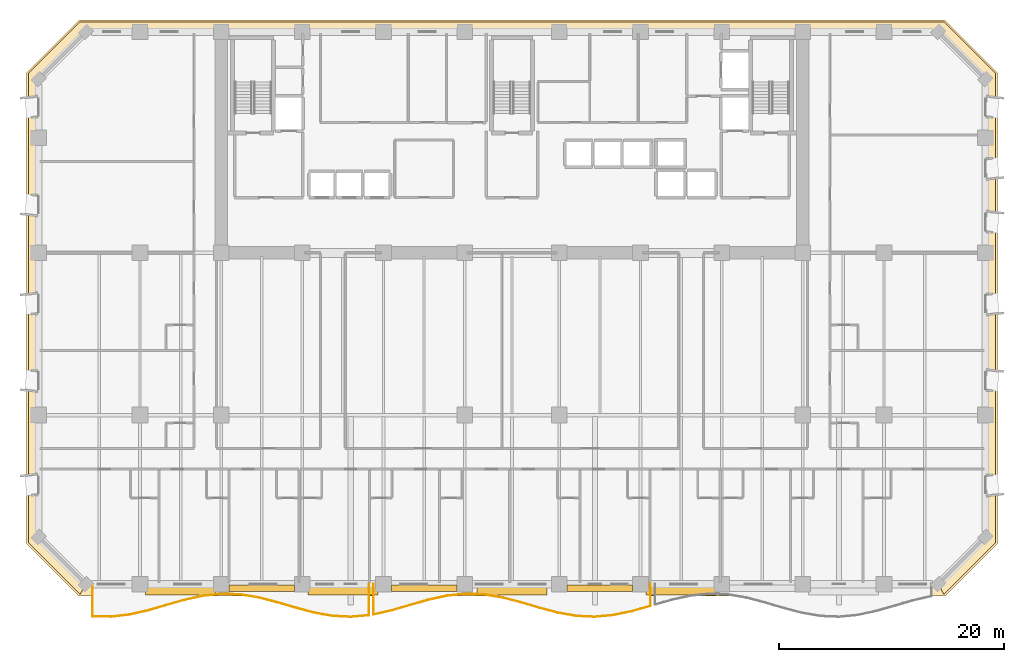
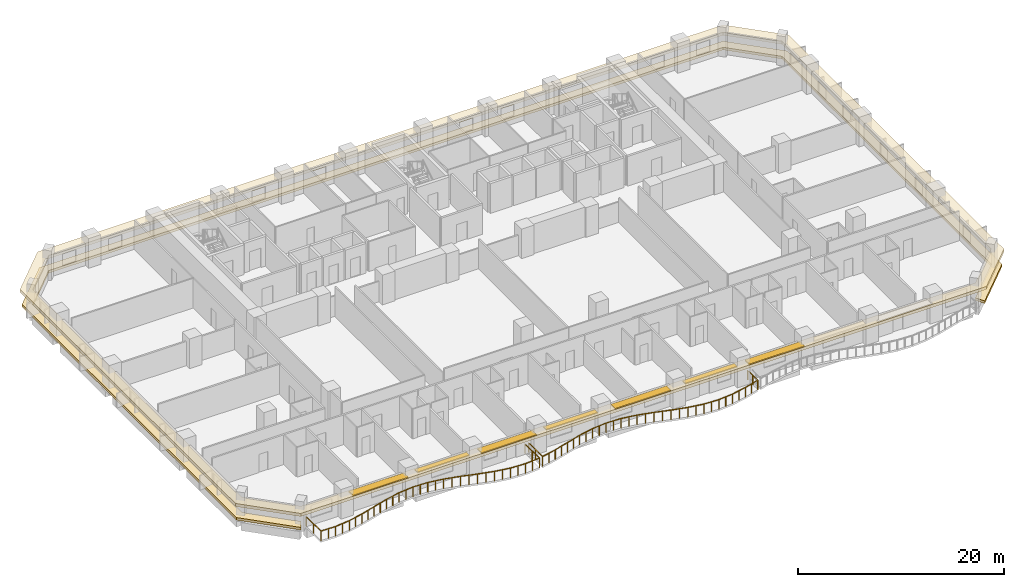
# One storey, part 12 of 15: 7 shading devices, 2 coverings, 2 railings.
"""IFC4 building model written with IfcOpenShell, lengths in metres."""

from ifc_helpers import new_model, si_unit, direction, frame, origin, origin_2d, place, context, subcontext, project, spatial, polyline, rectangle, outline, extrude, material, layer, layer_set, type_object, element, save


model = new_model("IFC4")

# Units and contexts
model_context = context("Model", 3, precision=1e-05, world=origin(), true_north=direction((0.0, 1.0)))
body_context = subcontext(model_context, "Body", "Model", "MODEL_VIEW")
ifc_project = project(units=[si_unit("LENGTHUNIT", "METRE"), si_unit("AREAUNIT", "SQUARE_METRE"), si_unit("VOLUMEUNIT", "CUBIC_METRE"), si_unit("PLANEANGLEUNIT", "RADIAN"), si_unit("MASSUNIT", "GRAM", prefix="KILO")], contexts=[model_context])

# Site, building, storey
site_placement = place(None, origin())
site = spatial("IfcSite", under=ifc_project, at=site_placement, CompositionType="ELEMENT")
building_placement = place(site_placement, origin())
building = spatial("IfcBuilding", under=site, at=building_placement, Name="Kaelvorn Grand Hotel", CompositionType="ELEMENT")
storey_placement = place(building_placement, frame((0.0, 0.0, 46.39990234375)))
storey = spatial("IfcBuildingStorey", under=building, at=storey_placement, Name="L09", CompositionType="ELEMENT", Elevation=46.39990234375)

# Coverings
ifc_material_1 = material(Name="Precast concrete C45/55", Category="concrete")
ifc_layer_1 = layer(ifc_material_1, 0.260009765625)
ifc_layer_set_1 = layer_set([ifc_layer_1], Name="Precast concrete C45/55")
covering_type_1 = type_object("IfcCoveringType", Name="COV-BAND-STREAMLINE-HEAD", PredefinedType="CLADDING", material=ifc_layer_set_1)
covering_1_placement = place(storey_placement, frame((0.0, 0.0, 2.18017578125)))
element("IfcCovering", 1, at=covering_1_placement, inside=storey, type_object=covering_type_1, Name="L09 Streamline Moderne Wraparound Horizontal Eyebrow Band", PredefinedType="CLADDING", context=body_context, shape_type="SweptSolid", body=[
    extrude(outline(polyline([(3.590087890625, -1.050048828125), (80.409912109375, -1.050048828125), (85.050048828125, 3.590087890625), (85.050048828125, 45.409912109375), (80.409912109375, 50.050048828125), (3.590087890625, 50.050048828125), (-1.050048828125, 45.409912109375), (-1.050048828125, 3.590087890625), (3.590087890625, -1.050048828125)]), holes=[polyline([(4.219970703125, 0.030029296875), (79.780029296875, 0.030029296875), (83.969970703125, 4.219970703125), (83.969970703125, 44.780029296875), (79.780029296875, 48.969970703125), (4.219970703125, 48.969970703125), (0.030029296875, 44.780029296875), (0.030029296875, 4.219970703125), (4.219970703125, 0.030029296875)])]), origin(), (0.0, 0.0, 1.0), 0.35986328125),
])
ifc_layer_2 = layer(ifc_material_1, 0.219970703125)
ifc_layer_set_2 = layer_set([ifc_layer_2], Name="Precast concrete C45/55")
covering_type_2 = type_object("IfcCoveringType", Name="COV-BAND-STREAMLINE-SILL", PredefinedType="CLADDING", material=ifc_layer_set_2)
covering_2_placement = place(storey_placement, frame((0.0, 0.0, 0.4501953125)))
element("IfcCovering", 2, at=covering_2_placement, inside=storey, type_object=covering_type_2, Name="L09 Streamline Moderne Wraparound Horizontal Sill Spandrel Band", PredefinedType="CLADDING", context=body_context, shape_type="SweptSolid", body=[
    extrude(outline(polyline([(80.3154296875, -0.8798828125), (84.8798828125, 3.6845703125), (84.8798828125, 45.3154296875), (80.3154296875, 49.8798828125), (3.6845703125, 49.8798828125), (-0.8798828125, 45.3154296875), (-0.8798828125, 3.6845703125), (3.6845703125, -0.8798828125), (4.217529296875, 0.030029296875), (0.030029296875, 4.217529296875), (0.030029296875, 44.782470703125), (4.217529296875, 48.969970703125), (79.782470703125, 48.969970703125), (83.969970703125, 44.782470703125), (83.969970703125, 4.217529296875), (79.782470703125, 0.030029296875), (80.3154296875, -0.8798828125)])), origin(), (0.0, 0.0, 1.0), 0.2998046875),
])

# Railings
ifc_material_2 = material(Name="Stainless Steel", Category="steel")
railing_type = type_object("IfcRailingType", Name="RL-BALC-1150", PredefinedType="BALUSTRADE", material=ifc_material_2)
railing_1_placement = place(storey_placement, frame((4.800048828125, 0.0, 0.0)))
element("IfcRailing", 3, at=railing_1_placement, inside=storey, type_object=railing_type, Name="L09 Scalloped Wave Balcony Balustrade GR1-1", PredefinedType="BALUSTRADE", context=body_context, shape_type="SweptSolid", body=[
    extrude(rectangle(XDim=0.048095703125, YDim=0.048095703125, at=origin_2d()), frame((0.0, 0.0, 1.1259765625), z_axis=(0.0, -1.0, 0.0), x_axis=(1.0, 0.0, 0.0)), (0.0, 0.0, 1.0), 2.849853515625),
    extrude(rectangle(XDim=0.048095703125, YDim=0.048095703125, at=origin_2d()), frame((0.0, -2.849853515625, 1.1259765625), z_axis=(0.999746055688, -0.022534953636, 0.0), x_axis=(0.022534953636, 0.999746055688, 0.0)), (0.0, 0.0, 1.0), 1.635986328125),
    extrude(rectangle(XDim=0.048095703125, YDim=0.048095703125, at=origin_2d()), frame((1.635498046875, -2.88671875, 1.1259765625), z_axis=(0.993458851833, 0.114190672624, 0.0), x_axis=(-0.114190672624, 0.993458851833, 0.0)), (0.0, 0.0, 1.0), 1.646240234375),
    extrude(rectangle(XDim=0.048095703125, YDim=0.048095703125, at=origin_2d()), frame((3.27099609375, -2.69873046875, 1.1259765625), z_axis=(0.975249967804, 0.221105179268, 0.0), x_axis=(-0.221105179268, 0.975249967804, 0.0)), (0.0, 0.0, 1.0), 1.67724609375),
    extrude(rectangle(XDim=0.048095703125, YDim=0.048095703125, at=origin_2d()), frame((4.90673828125, -2.327880859375, 1.1259765625), z_axis=(0.960877196389, 0.276974752385, 0.0), x_axis=(-0.276974752385, 0.960877196389, 0.0)), (0.0, 0.0, 1.0), 1.7021484375),
    extrude(rectangle(XDim=0.048095703125, YDim=0.048095703125, at=origin_2d()), frame((6.542236328125, -1.8564453125, 1.1259765625), z_axis=(0.961523947641, 0.274721127897, 0.0), x_axis=(-0.274721127897, 0.961523947641, 0.0)), (0.0, 0.0, 1.0), 1.700927734375),
    extrude(rectangle(XDim=0.048095703125, YDim=0.048095703125, at=origin_2d()), frame((8.177734375, -1.38916015625, 1.1259765625), z_axis=(0.976698893924, 0.21461423673, 0.0), x_axis=(-0.21461423673, 0.976698893924, 0.0)), (0.0, 0.0, 1.0), 1.674560546875),
    extrude(rectangle(XDim=0.048095703125, YDim=0.048095703125, at=origin_2d()), frame((9.813232421875, -1.02978515625, 1.1259765625), z_axis=(0.994538755279, 0.104367927297, 0.0), x_axis=(-0.104367927297, 0.994538755279, 0.0)), (0.0, 0.0, 1.0), 1.64453125),
    extrude(rectangle(XDim=0.048095703125, YDim=0.048095703125, at=origin_2d()), frame((11.44873046875, -0.858154296875, 1.1259765625), z_axis=(0.999451509735, -0.033116154502, 0.0), x_axis=(0.033116154502, 0.999451509735, 0.0)), (0.0, 0.0, 1.0), 1.63671875),
    extrude(rectangle(XDim=0.048095703125, YDim=0.048095703125, at=origin_2d()), frame((13.08447265625, -0.912353515625, 1.1259765625), z_axis=(0.986832291042, -0.161746806324, 0.0), x_axis=(0.161746806324, 0.986832291042, 0.0)), (0.0, 0.0, 1.0), 1.6572265625),
    extrude(rectangle(XDim=0.048095703125, YDim=0.048095703125, at=origin_2d()), frame((14.719970703125, -1.180419921875, 1.1259765625), z_axis=(0.96823444274, -0.25004412389, 0.0), x_axis=(0.25004412389, 0.96823444274, 0.0)), (0.0, 0.0, 1.0), 1.689208984375),
    extrude(rectangle(XDim=0.048095703125, YDim=0.048095703125, at=origin_2d()), frame((16.35546875, -1.602783203125, 1.1259765625), z_axis=(0.959105197492, -0.283049854522, 0.0), x_axis=(0.283049854522, 0.959105197492, 0.0)), (0.0, 0.0, 1.0), 1.705322265625),
    extrude(rectangle(XDim=0.048095703125, YDim=0.048095703125, at=origin_2d()), frame((17.990966796875, -2.08544921875, 1.1259765625), z_axis=(0.966258871987, -0.257572887368, 0.0), x_axis=(0.257572887368, 0.966258871987, 0.0)), (0.0, 0.0, 1.0), 1.69287109375),
    extrude(rectangle(XDim=0.048095703125, YDim=0.048095703125, at=origin_2d()), frame((19.626708984375, -2.521484375, 1.1259765625), z_axis=(0.984383042767, -0.176039839563, 0.0), x_axis=(0.176039839563, 0.984383042767, 0.0)), (0.0, 0.0, 1.0), 1.661376953125),
    extrude(rectangle(XDim=0.048095703125, YDim=0.048095703125, at=origin_2d()), frame((21.26220703125, -2.81396484375, 1.1259765625), z_axis=(0.998684141863, -0.05128337734, 0.0), x_axis=(0.05128337734, 0.998684141863, 0.0)), (0.0, 0.0, 1.0), 1.6376953125),
    extrude(rectangle(XDim=0.048095703125, YDim=0.048095703125, at=origin_2d()), frame((22.897705078125, -2.89794921875, 1.1259765625), z_axis=(0.996182895251, 0.087290544785, 0.0), x_axis=(-0.087290544785, 0.996182895251, 0.0)), (0.0, 0.0, 1.0), 1.641845703125),
    extrude(rectangle(XDim=0.048095703125, YDim=0.048095703125, at=origin_2d()), frame((24.533203125, -2.754638671875, 1.1259765625), z_axis=(0.0, 1.0, 0.0), x_axis=(-1.0, 0.0, 0.0)), (0.0, 0.0, 1.0), 2.754638671875),
    extrude(rectangle(XDim=0.0419921875, YDim=0.0419921875, at=origin_2d()), origin(), (0.0, 0.0, 1.0), 1.101806640625),
    extrude(rectangle(XDim=0.0419921875, YDim=0.0419921875, at=origin_2d()), frame((0.0, -1.4248046875, 0.0)), (0.0, 0.0, 1.0), 1.101806640625),
    extrude(rectangle(XDim=0.0419921875, YDim=0.0419921875, at=origin_2d()), frame((0.0, -2.849853515625, 0.0)), (0.0, 0.0, 1.0), 1.101806640625),
    extrude(rectangle(XDim=0.0419921875, YDim=0.0419921875, at=origin_2d()), frame((0.81787109375, -2.8681640625, 0.0)), (0.0, 0.0, 1.0), 1.101806640625),
    extrude(rectangle(XDim=0.0419921875, YDim=0.0419921875, at=origin_2d()), frame((1.635498046875, -2.88671875, 0.0)), (0.0, 0.0, 1.0), 1.101806640625),
    extrude(rectangle(XDim=0.0419921875, YDim=0.0419921875, at=origin_2d()), frame((2.453125, -2.792724609375, 0.0)), (0.0, 0.0, 1.0), 1.101806640625),
    extrude(rectangle(XDim=0.0419921875, YDim=0.0419921875, at=origin_2d()), frame((3.27099609375, -2.69873046875, 0.0)), (0.0, 0.0, 1.0), 1.101806640625),
    extrude(rectangle(XDim=0.0419921875, YDim=0.0419921875, at=origin_2d()), frame((4.0888671875, -2.51318359375, 0.0)), (0.0, 0.0, 1.0), 1.101806640625),
    extrude(rectangle(XDim=0.0419921875, YDim=0.0419921875, at=origin_2d()), frame((4.90673828125, -2.327880859375, 0.0)), (0.0, 0.0, 1.0), 1.101806640625),
    extrude(rectangle(XDim=0.0419921875, YDim=0.0419921875, at=origin_2d()), frame((5.724609375, -2.09228515625, 0.0)), (0.0, 0.0, 1.0), 1.101806640625),
    extrude(rectangle(XDim=0.0419921875, YDim=0.0419921875, at=origin_2d()), frame((6.542236328125, -1.8564453125, 0.0)), (0.0, 0.0, 1.0), 1.101806640625),
    extrude(rectangle(XDim=0.0419921875, YDim=0.0419921875, at=origin_2d()), frame((7.35986328125, -1.622802734375, 0.0)), (0.0, 0.0, 1.0), 1.101806640625),
    extrude(rectangle(XDim=0.0419921875, YDim=0.0419921875, at=origin_2d()), frame((8.177734375, -1.38916015625, 0.0)), (0.0, 0.0, 1.0), 1.101806640625),
    extrude(rectangle(XDim=0.0419921875, YDim=0.0419921875, at=origin_2d()), frame((8.99560546875, -1.20947265625, 0.0)), (0.0, 0.0, 1.0), 1.101806640625),
    extrude(rectangle(XDim=0.0419921875, YDim=0.0419921875, at=origin_2d()), frame((9.813232421875, -1.02978515625, 0.0)), (0.0, 0.0, 1.0), 1.101806640625),
    extrude(rectangle(XDim=0.0419921875, YDim=0.0419921875, at=origin_2d()), frame((10.630859375, -0.94384765625, 0.0)), (0.0, 0.0, 1.0), 1.101806640625),
    extrude(rectangle(XDim=0.0419921875, YDim=0.0419921875, at=origin_2d()), frame((11.44873046875, -0.858154296875, 0.0)), (0.0, 0.0, 1.0), 1.101806640625),
    extrude(rectangle(XDim=0.0419921875, YDim=0.0419921875, at=origin_2d()), frame((12.2666015625, -0.88525390625, 0.0)), (0.0, 0.0, 1.0), 1.101806640625),
    extrude(rectangle(XDim=0.0419921875, YDim=0.0419921875, at=origin_2d()), frame((13.08447265625, -0.912353515625, 0.0)), (0.0, 0.0, 1.0), 1.101806640625),
    extrude(rectangle(XDim=0.0419921875, YDim=0.0419921875, at=origin_2d()), frame((13.90234375, -1.04638671875, 0.0)), (0.0, 0.0, 1.0), 1.101806640625),
    extrude(rectangle(XDim=0.0419921875, YDim=0.0419921875, at=origin_2d()), frame((14.719970703125, -1.180419921875, 0.0)), (0.0, 0.0, 1.0), 1.101806640625),
    extrude(rectangle(XDim=0.0419921875, YDim=0.0419921875, at=origin_2d()), frame((15.53759765625, -1.3916015625, 0.0)), (0.0, 0.0, 1.0), 1.101806640625),
    extrude(rectangle(XDim=0.0419921875, YDim=0.0419921875, at=origin_2d()), frame((16.35546875, -1.602783203125, 0.0)), (0.0, 0.0, 1.0), 1.101806640625),
    extrude(rectangle(XDim=0.0419921875, YDim=0.0419921875, at=origin_2d()), frame((17.17333984375, -1.84423828125, 0.0)), (0.0, 0.0, 1.0), 1.101806640625),
    extrude(rectangle(XDim=0.0419921875, YDim=0.0419921875, at=origin_2d()), frame((17.990966796875, -2.08544921875, 0.0)), (0.0, 0.0, 1.0), 1.101806640625),
    extrude(rectangle(XDim=0.0419921875, YDim=0.0419921875, at=origin_2d()), frame((18.808837890625, -2.303466796875, 0.0)), (0.0, 0.0, 1.0), 1.101806640625),
    extrude(rectangle(XDim=0.0419921875, YDim=0.0419921875, at=origin_2d()), frame((19.626708984375, -2.521484375, 0.0)), (0.0, 0.0, 1.0), 1.101806640625),
    extrude(rectangle(XDim=0.0419921875, YDim=0.0419921875, at=origin_2d()), frame((20.4443359375, -2.667724609375, 0.0)), (0.0, 0.0, 1.0), 1.101806640625),
    extrude(rectangle(XDim=0.0419921875, YDim=0.0419921875, at=origin_2d()), frame((21.26220703125, -2.81396484375, 0.0)), (0.0, 0.0, 1.0), 1.101806640625),
    extrude(rectangle(XDim=0.0419921875, YDim=0.0419921875, at=origin_2d()), frame((22.080078125, -2.85595703125, 0.0)), (0.0, 0.0, 1.0), 1.101806640625),
    extrude(rectangle(XDim=0.0419921875, YDim=0.0419921875, at=origin_2d()), frame((22.897705078125, -2.89794921875, 0.0)), (0.0, 0.0, 1.0), 1.101806640625),
    extrude(rectangle(XDim=0.0419921875, YDim=0.0419921875, at=origin_2d()), frame((23.71533203125, -2.826171875, 0.0)), (0.0, 0.0, 1.0), 1.101806640625),
    extrude(rectangle(XDim=0.0419921875, YDim=0.0419921875, at=origin_2d()), frame((24.533203125, -2.754638671875, 0.0)), (0.0, 0.0, 1.0), 1.101806640625),
    extrude(rectangle(XDim=0.0419921875, YDim=0.0419921875, at=origin_2d()), frame((24.533203125, -1.37744140625, 0.0)), (0.0, 0.0, 1.0), 1.101806640625),
    extrude(rectangle(XDim=0.0419921875, YDim=0.0419921875, at=origin_2d()), frame((24.533203125, 0.0, 0.0)), (0.0, 0.0, 1.0), 1.101806640625),
])
railing_2_placement = place(storey_placement, frame((29.7333984375, 0.0, 0.0)))
element("IfcRailing", 4, at=railing_2_placement, inside=storey, type_object=railing_type, Name="L09 Scalloped Wave Balcony Balustrade GR1-2", PredefinedType="BALUSTRADE", context=body_context, shape_type="SweptSolid", body=[
    extrude(rectangle(XDim=0.048095703125, YDim=0.048095703125, at=origin_2d()), frame((0.0, 0.0, 1.1259765625), z_axis=(0.0, -1.0, 0.0), x_axis=(1.0, 0.0, 0.0)), (0.0, 0.0, 1.0), 2.6875),
    extrude(rectangle(XDim=0.048095703125, YDim=0.048095703125, at=origin_2d()), frame((0.0, -2.6875, 1.1259765625), z_axis=(0.974547877033, 0.22417947134, 0.0), x_axis=(-0.22417947134, 0.974547877033, 0.0)), (0.0, 0.0, 1.0), 1.67822265625),
    extrude(rectangle(XDim=0.048095703125, YDim=0.048095703125, at=origin_2d()), frame((1.635498046875, -2.311279296875, 1.1259765625), z_axis=(0.960571319089, 0.278033704689, 0.0), x_axis=(-0.278033704689, 0.960571319089, 0.0)), (0.0, 0.0, 1.0), 1.70263671875),
    extrude(rectangle(XDim=0.048095703125, YDim=0.048095703125, at=origin_2d()), frame((3.27099609375, -1.837890625, 1.1259765625), z_axis=(0.96186455439, 0.273526194374, 0.0), x_axis=(-0.273526194374, 0.96186455439, 0.0)), (0.0, 0.0, 1.0), 1.700439453125),
    extrude(rectangle(XDim=0.048095703125, YDim=0.048095703125, at=origin_2d()), frame((4.906494140625, -1.372802734375, 1.1259765625), z_axis=(0.977433707694, 0.211242389364, 0.0), x_axis=(-0.211242389364, 0.977433707694, 0.0)), (0.0, 0.0, 1.0), 1.673583984375),
    extrude(rectangle(XDim=0.048095703125, YDim=0.048095703125, at=origin_2d()), frame((6.542236328125, -1.019287109375, 1.1259765625), z_axis=(0.995050417391, 0.099371358297, 0.0), x_axis=(-0.099371358297, 0.995050417391, 0.0)), (0.0, 0.0, 1.0), 1.6435546875),
    extrude(rectangle(XDim=0.048095703125, YDim=0.048095703125, at=origin_2d()), frame((8.177734375, -0.85595703125, 1.1259765625), z_axis=(0.999264915568, -0.038335734184, 0.0), x_axis=(0.038335734184, 0.999264915568, 0.0)), (0.0, 0.0, 1.0), 1.63671875),
    extrude(rectangle(XDim=0.048095703125, YDim=0.048095703125, at=origin_2d()), frame((9.813232421875, -0.918701171875, 1.1259765625), z_axis=(0.986118033534, -0.166045848907, 0.0), x_axis=(0.166045848907, 0.986118033534, 0.0)), (0.0, 0.0, 1.0), 1.658447265625),
    extrude(rectangle(XDim=0.048095703125, YDim=0.048095703125, at=origin_2d()), frame((11.44873046875, -1.194091796875, 1.1259765625), z_axis=(0.967646406536, -0.252310189883, 0.0), x_axis=(0.252310189883, 0.967646406536, 0.0)), (0.0, 0.0, 1.0), 1.6904296875),
    extrude(rectangle(XDim=0.048095703125, YDim=0.048095703125, at=origin_2d()), frame((13.08447265625, -1.62060546875, 1.1259765625), z_axis=(0.959027432838, -0.2833132243, 0.0), x_axis=(0.2833132243, 0.959027432838, 0.0)), (0.0, 0.0, 1.0), 1.705322265625),
    extrude(rectangle(XDim=0.048095703125, YDim=0.048095703125, at=origin_2d()), frame((14.719970703125, -2.103759765625, 1.1259765625), z_axis=(0.966821682926, -0.255452213581, 0.0), x_axis=(0.255452213581, 0.966821682926, 0.0)), (0.0, 0.0, 1.0), 1.691650390625),
    extrude(rectangle(XDim=0.048095703125, YDim=0.048095703125, at=origin_2d()), frame((16.35546875, -2.535888671875, 1.1259765625), z_axis=(0.985113377214, -0.171905887142, 0.0), x_axis=(0.171905887142, 0.985113377214, 0.0)), (0.0, 0.0, 1.0), 1.66015625),
    extrude(rectangle(XDim=0.048095703125, YDim=0.048095703125, at=origin_2d()), frame((17.990966796875, -2.8212890625, 1.1259765625), z_axis=(0.998945044437, -0.045921652789, 0.0), x_axis=(0.045921652789, 0.998945044437, 0.0)), (0.0, 0.0, 1.0), 1.637451171875),
    extrude(rectangle(XDim=0.048095703125, YDim=0.048095703125, at=origin_2d()), frame((19.626708984375, -2.896484375, 1.1259765625), z_axis=(0.995730813029, 0.092304647692, 0.0), x_axis=(-0.092304647692, 0.995730813029, 0.0)), (0.0, 0.0, 1.0), 1.642578125),
    extrude(rectangle(XDim=0.048095703125, YDim=0.048095703125, at=origin_2d()), frame((21.26220703125, -2.744873046875, 1.1259765625), z_axis=(0.978500163728, 0.206246041377, 0.0), x_axis=(-0.206246041377, 0.978500163728, 0.0)), (0.0, 0.0, 1.0), 1.67138671875),
    extrude(rectangle(XDim=0.048095703125, YDim=0.048095703125, at=origin_2d()), frame((22.897705078125, -2.400146484375, 1.1259765625), z_axis=(0.962391909426, 0.27166489039, 0.0), x_axis=(-0.27166489039, 0.962391909426, 0.0)), (0.0, 0.0, 1.0), 1.699462890625),
    extrude(rectangle(XDim=0.048095703125, YDim=0.048095703125, at=origin_2d()), frame((24.533203125, -1.9384765625, 1.1259765625), z_axis=(0.0, 1.0, 0.0), x_axis=(-1.0, 0.0, 0.0)), (0.0, 0.0, 1.0), 1.9384765625),
    extrude(rectangle(XDim=0.0419921875, YDim=0.0419921875, at=origin_2d()), origin(), (0.0, 0.0, 1.0), 1.101806640625),
    extrude(rectangle(XDim=0.0419921875, YDim=0.0419921875, at=origin_2d()), frame((0.0, -1.34375, 0.0)), (0.0, 0.0, 1.0), 1.101806640625),
    extrude(rectangle(XDim=0.0419921875, YDim=0.0419921875, at=origin_2d()), frame((0.0, -2.6875, 0.0)), (0.0, 0.0, 1.0), 1.101806640625),
    extrude(rectangle(XDim=0.0419921875, YDim=0.0419921875, at=origin_2d()), frame((0.81787109375, -2.49951171875, 0.0)), (0.0, 0.0, 1.0), 1.101806640625),
    extrude(rectangle(XDim=0.0419921875, YDim=0.0419921875, at=origin_2d()), frame((1.635498046875, -2.311279296875, 0.0)), (0.0, 0.0, 1.0), 1.101806640625),
    extrude(rectangle(XDim=0.0419921875, YDim=0.0419921875, at=origin_2d()), frame((2.453125, -2.07470703125, 0.0)), (0.0, 0.0, 1.0), 1.101806640625),
    extrude(rectangle(XDim=0.0419921875, YDim=0.0419921875, at=origin_2d()), frame((3.27099609375, -1.837890625, 0.0)), (0.0, 0.0, 1.0), 1.101806640625),
    extrude(rectangle(XDim=0.0419921875, YDim=0.0419921875, at=origin_2d()), frame((4.0888671875, -1.60546875, 0.0)), (0.0, 0.0, 1.0), 1.101806640625),
    extrude(rectangle(XDim=0.0419921875, YDim=0.0419921875, at=origin_2d()), frame((4.906494140625, -1.372802734375, 0.0)), (0.0, 0.0, 1.0), 1.101806640625),
    extrude(rectangle(XDim=0.0419921875, YDim=0.0419921875, at=origin_2d()), frame((5.724365234375, -1.196044921875, 0.0)), (0.0, 0.0, 1.0), 1.101806640625),
    extrude(rectangle(XDim=0.0419921875, YDim=0.0419921875, at=origin_2d()), frame((6.542236328125, -1.019287109375, 0.0)), (0.0, 0.0, 1.0), 1.101806640625),
    extrude(rectangle(XDim=0.0419921875, YDim=0.0419921875, at=origin_2d()), frame((7.35986328125, -0.9375, 0.0)), (0.0, 0.0, 1.0), 1.101806640625),
    extrude(rectangle(XDim=0.0419921875, YDim=0.0419921875, at=origin_2d()), frame((8.177734375, -0.85595703125, 0.0)), (0.0, 0.0, 1.0), 1.101806640625),
    extrude(rectangle(XDim=0.0419921875, YDim=0.0419921875, at=origin_2d()), frame((8.99560546875, -0.88720703125, 0.0)), (0.0, 0.0, 1.0), 1.101806640625),
    extrude(rectangle(XDim=0.0419921875, YDim=0.0419921875, at=origin_2d()), frame((9.813232421875, -0.918701171875, 0.0)), (0.0, 0.0, 1.0), 1.101806640625),
    extrude(rectangle(XDim=0.0419921875, YDim=0.0419921875, at=origin_2d()), frame((10.630859375, -1.056396484375, 0.0)), (0.0, 0.0, 1.0), 1.101806640625),
    extrude(rectangle(XDim=0.0419921875, YDim=0.0419921875, at=origin_2d()), frame((11.44873046875, -1.194091796875, 0.0)), (0.0, 0.0, 1.0), 1.101806640625),
    extrude(rectangle(XDim=0.0419921875, YDim=0.0419921875, at=origin_2d()), frame((12.2666015625, -1.4072265625, 0.0)), (0.0, 0.0, 1.0), 1.101806640625),
    extrude(rectangle(XDim=0.0419921875, YDim=0.0419921875, at=origin_2d()), frame((13.08447265625, -1.62060546875, 0.0)), (0.0, 0.0, 1.0), 1.101806640625),
    extrude(rectangle(XDim=0.0419921875, YDim=0.0419921875, at=origin_2d()), frame((13.90234375, -1.8623046875, 0.0)), (0.0, 0.0, 1.0), 1.101806640625),
    extrude(rectangle(XDim=0.0419921875, YDim=0.0419921875, at=origin_2d()), frame((14.719970703125, -2.103759765625, 0.0)), (0.0, 0.0, 1.0), 1.101806640625),
    extrude(rectangle(XDim=0.0419921875, YDim=0.0419921875, at=origin_2d()), frame((15.53759765625, -2.31982421875, 0.0)), (0.0, 0.0, 1.0), 1.101806640625),
    extrude(rectangle(XDim=0.0419921875, YDim=0.0419921875, at=origin_2d()), frame((16.35546875, -2.535888671875, 0.0)), (0.0, 0.0, 1.0), 1.101806640625),
    extrude(rectangle(XDim=0.0419921875, YDim=0.0419921875, at=origin_2d()), frame((17.17333984375, -2.6787109375, 0.0)), (0.0, 0.0, 1.0), 1.101806640625),
    extrude(rectangle(XDim=0.0419921875, YDim=0.0419921875, at=origin_2d()), frame((17.990966796875, -2.8212890625, 0.0)), (0.0, 0.0, 1.0), 1.101806640625),
    extrude(rectangle(XDim=0.0419921875, YDim=0.0419921875, at=origin_2d()), frame((18.808837890625, -2.85888671875, 0.0)), (0.0, 0.0, 1.0), 1.101806640625),
    extrude(rectangle(XDim=0.0419921875, YDim=0.0419921875, at=origin_2d()), frame((19.626708984375, -2.896484375, 0.0)), (0.0, 0.0, 1.0), 1.101806640625),
    extrude(rectangle(XDim=0.0419921875, YDim=0.0419921875, at=origin_2d()), frame((20.4443359375, -2.82080078125, 0.0)), (0.0, 0.0, 1.0), 1.101806640625),
    extrude(rectangle(XDim=0.0419921875, YDim=0.0419921875, at=origin_2d()), frame((21.26220703125, -2.744873046875, 0.0)), (0.0, 0.0, 1.0), 1.101806640625),
    extrude(rectangle(XDim=0.0419921875, YDim=0.0419921875, at=origin_2d()), frame((22.080078125, -2.572509765625, 0.0)), (0.0, 0.0, 1.0), 1.101806640625),
    extrude(rectangle(XDim=0.0419921875, YDim=0.0419921875, at=origin_2d()), frame((22.897705078125, -2.400146484375, 0.0)), (0.0, 0.0, 1.0), 1.101806640625),
    extrude(rectangle(XDim=0.0419921875, YDim=0.0419921875, at=origin_2d()), frame((23.71533203125, -2.16943359375, 0.0)), (0.0, 0.0, 1.0), 1.101806640625),
    extrude(rectangle(XDim=0.0419921875, YDim=0.0419921875, at=origin_2d()), frame((24.533203125, -1.9384765625, 0.0)), (0.0, 0.0, 1.0), 1.101806640625),
    extrude(rectangle(XDim=0.0419921875, YDim=0.0419921875, at=origin_2d()), frame((24.533203125, -0.96923828125, 0.0)), (0.0, 0.0, 1.0), 1.101806640625),
    extrude(rectangle(XDim=0.0419921875, YDim=0.0419921875, at=origin_2d()), frame((24.533203125, 0.0, 0.0)), (0.0, 0.0, 1.0), 1.101806640625),
])

# Shading devices
ifc_layer_3 = layer(ifc_material_1, 0.1201171875)
ifc_layer_set_3 = layer_set([ifc_layer_3], Name="Precast concrete C45/55")
shading_device_type_1 = type_object("IfcShadingDeviceType", Name="SHD-SUNSHADE-550", PredefinedType="USERDEFINED", material=ifc_layer_set_3)
for number, where, z_axis, x_axis, name in (
    (5, (19.800048828125, -0.364990234375, 2.419921875), (0.0, 0.0, 1.0), (1.0, 0.0, 0.0), "L09 Horizontal Concrete Sunshade Band SS-03"),
    (6, (34.199951171875, -0.364990234375, 2.419921875), (0.0, 0.0, 1.0), (1.0, 0.0, 0.0), "L09 Horizontal Concrete Sunshade Band SS-05"),
    (7, (49.800048828125, -0.364990234375, 2.419921875), (0.0, 0.0, 1.0), (1.0, 0.0, 0.0), "L09 Horizontal Concrete Sunshade Band SS-07"),
):
    element("IfcShadingDevice", number, at=place(storey_placement, frame(where, z_axis=z_axis, x_axis=x_axis)), inside=storey, type_object=shading_device_type_1, Name=name, ObjectType="SUNSHADE", PredefinedType="USERDEFINED", context=body_context, shape_type="SweptSolid", body=[
        extrude(rectangle(XDim=5.800048828125, YDim=0.550048828125, at=origin_2d()), origin(), (0.0, 0.0, 1.0), 0.1201171875),
    ])
ifc_layer_4 = layer(ifc_material_1, 0.139892578125)
ifc_layer_set_4 = layer_set([ifc_layer_4], Name="Precast concrete C45/55")
shading_device_type_2 = type_object("IfcShadingDeviceType", Name="SHD-SUNSHADE-850", PredefinedType="USERDEFINED", material=ifc_layer_set_4)
for number, where, z_axis, x_axis, name in (
    (8, (12.60009765625, -0.514892578125, 2.41015625), (0.0, 0.0, 1.0), (1.0, 0.0, 0.0), "L09 Horizontal Concrete Sunshade Band SS-02"),
    (9, (27.0, -0.514892578125, 2.41015625), (0.0, 0.0, 1.0), (1.0, 0.0, 0.0), "L09 Horizontal Concrete Sunshade Band SS-04"),
    (10, (42.0, -0.514892578125, 2.41015625), (0.0, 0.0, 1.0), (1.0, 0.0, 0.0), "L09 Horizontal Concrete Sunshade Band SS-06"),
    (11, (57.0, -0.514892578125, 2.41015625), (0.0, 0.0, 1.0), (1.0, 0.0, 0.0), "L09 Horizontal Concrete Sunshade Band SS-08"),
):
    element("IfcShadingDevice", number, at=place(storey_placement, frame(where, z_axis=z_axis, x_axis=x_axis)), inside=storey, type_object=shading_device_type_2, Name=name, ObjectType="SUNSHADE", PredefinedType="USERDEFINED", context=body_context, shape_type="SweptSolid", body=[
        extrude(rectangle(XDim=6.199951171875, YDim=0.85009765625, at=origin_2d()), origin(), (0.0, 0.0, 1.0), 0.139892578125),
    ])

save(model, "model.ifc")
